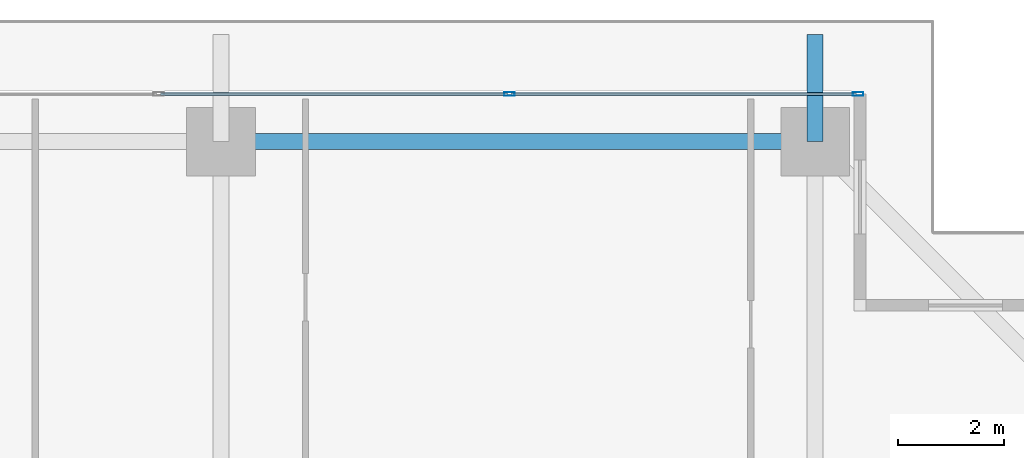
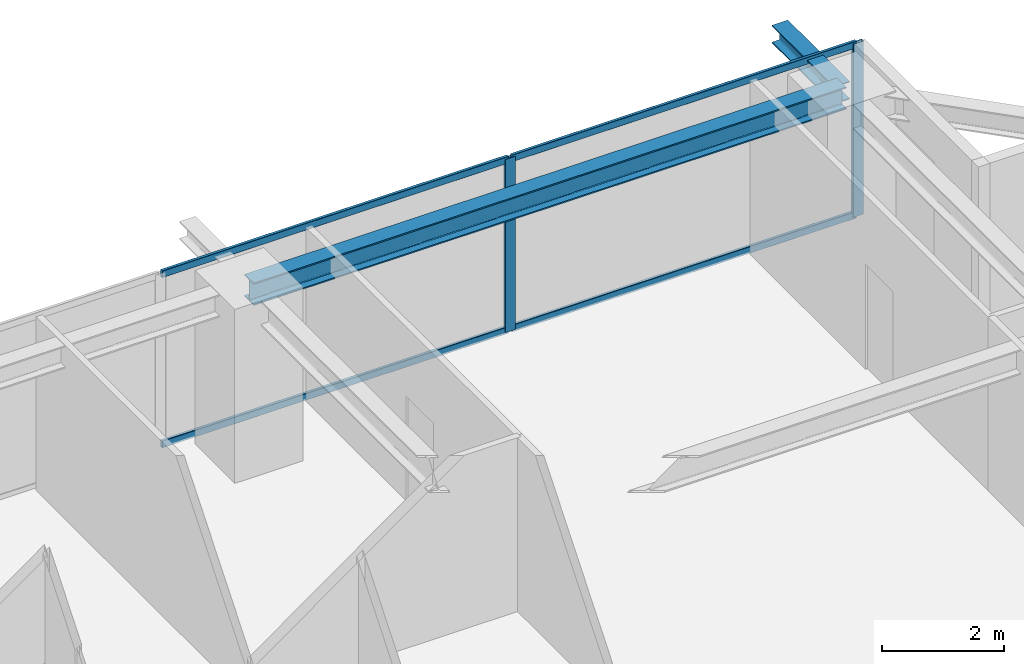
# One storey, part 22 of 35: 6 members, 2 beams, 1 element without a shape of its own.
"""IFC4 building model written with IfcOpenShell, lengths in metres."""

from ifc_helpers import new_model, si_unit, direction, frame, origin, origin_2d, place, context, subcontext, project, spatial, hollow_rectangle, i_section, extrude, source, transform, mapped, material, layer, layer_set, material_profile, profile_set, type_object, element, aggregate, save


model = new_model("IFC4")

# Units and contexts
model_context = context("Model", 3, precision=1e-05, world=origin(), true_north=direction((0.0, 1.0)))
body_context = subcontext(model_context, "Body", "Model", "MODEL_VIEW")
ifc_project = project(units=[si_unit("LENGTHUNIT", "METRE"), si_unit("AREAUNIT", "SQUARE_METRE"), si_unit("VOLUMEUNIT", "CUBIC_METRE"), si_unit("PLANEANGLEUNIT", "RADIAN"), si_unit("MASSUNIT", "GRAM", prefix="KILO")], contexts=[model_context])

# Site, building, storey
site_placement = place(None, origin())
site = spatial("IfcSite", under=ifc_project, at=site_placement, CompositionType="ELEMENT")
building_placement = place(site_placement, origin())
building = spatial("IfcBuilding", under=site, at=building_placement, Name="Serunith Strait Residences", CompositionType="ELEMENT")
storey_placement = place(building_placement, frame((0.0, 0.0, 172.64990234375)))
storey = spatial("IfcBuildingStorey", under=building, at=storey_placement, Name="L43", CompositionType="ELEMENT", Elevation=172.64990234375)

# Beams
ifc_material_1 = material(Name="Steel S355J2", Category="steel")
ifc_material_profile_1 = material_profile(ifc_material_1, i_section(OverallWidth=0.300048828125, OverallDepth=0.449951171875, WebThickness=0.013916015625, FlangeThickness=0.02587890625, FilletRadius=0.027099609375, at=origin_2d()), Name="HEB 450")
ifc_profile_set_1 = profile_set([ifc_material_profile_1], Name="Steel S355J2")
beam_type_1 = type_object("IfcBeamType", Name="BM-HEB450", PredefinedType="BEAM", material=ifc_profile_set_1)
shared_shape_1 = source(origin(), body_context, "Body", "SweptSolid", [
    extrude(i_section(OverallWidth=0.300048828125, OverallDepth=0.449951171875, WebThickness=0.013916015625, FlangeThickness=0.02587890625, FilletRadius=0.027099609375, at=origin_2d()), origin(), (0.0, 0.0, 1.0), 11.25),
])
beam_1_placement = place(storey_placement, frame((48.14990234375, 48.10009765625, 3.26220703125), z_axis=(-1.0, 0.0, 0.0), x_axis=(0.0, -1.0, 0.0)))
element("IfcBeam", 1, at=beam_1_placement, inside=storey, type_object=beam_type_1, Name="L43 Perimeter Ring Beam 09", PredefinedType="BEAM", context=body_context, shape_type="MappedRepresentation", body=[
    mapped(shared_shape_1, transform((0.0, 0.0, 0.0), scale=1.0)),
])
ifc_material_profile_2 = material_profile(ifc_material_1, i_section(OverallWidth=0.300048828125, OverallDepth=0.360107421875, WebThickness=0.012451171875, FlangeThickness=0.0224609375, FilletRadius=0.027099609375, at=origin_2d()), Name="HEB 360")
ifc_profile_set_2 = profile_set([ifc_material_profile_2], Name="Steel S355J2")
beam_type_2 = type_object("IfcBeamType", Name="BM-HEB360", PredefinedType="BEAM", material=ifc_profile_set_2)
shared_shape_2 = source(origin(), body_context, "Body", "SweptSolid", [
    extrude(i_section(OverallWidth=0.300048828125, OverallDepth=0.360107421875, WebThickness=0.012451171875, FlangeThickness=0.0224609375, FilletRadius=0.027099609375, at=origin_2d()), origin(), (0.0, 0.0, 1.0), 2.02978515625),
])
beam_2_placement = place(storey_placement, frame((48.14990234375, 48.10009765625, 3.277099609375), z_axis=(0.0, 1.0, 0.0), x_axis=(-1.0, 0.0, 0.0)))
element("IfcBeam", 2, at=beam_2_placement, inside=storey, type_object=beam_type_2, Name="L44 Cantilevered Balcony Rib TC-N4", PredefinedType="BEAM", context=body_context, shape_type="MappedRepresentation", body=[
    mapped(shared_shape_2, transform((0.0, 0.0, 0.0), scale=1.0)),
])

# Curtain wall, members
ifc_material_2 = material(Name="Pale-Champagne Anodised Aluminium", Category="aluminium")
ifc_layer = layer(ifc_material_2, 0.199951171875, Name="Pale-Champagne Anodised Aluminium")
ifc_layer_set = layer_set([ifc_layer], Name="Pale-Champagne Anodised Aluminium")
curtain_wall_type = type_object("IfcCurtainWallType", Name="CW-SYS2", PredefinedType="NOTDEFINED", material=ifc_layer_set)
curtain_wall_placement = place(storey_placement, origin())
curtain_wall = element("IfcCurtainWall", 3, at=curtain_wall_placement, inside=storey, type_object=curtain_wall_type, Name="L43 N Unitised Fritted Curtain Wall", PredefinedType="NOTDEFINED")
ifc_material_profile_3 = material_profile(ifc_material_2, hollow_rectangle(XDim=0.070068359375, YDim=0.199951171875, WallThickness=0.00390625, InnerFilletRadius=0.006103515625, OuterFilletRadius=0.010009765625, at=origin_2d()), Name="ALU 200x70x4")
ifc_profile_set_3 = profile_set([ifc_material_profile_3], Name="Pale-Champagne Anodised Aluminium")
member_type_1 = type_object("IfcMemberType", Name="CW-SYS2-MULL", PredefinedType="MULLION", material=ifc_profile_set_3)
shared_shape_3 = source(origin(), body_context, "Body", "SweptSolid", [
    extrude(hollow_rectangle(XDim=0.070068359375, YDim=0.199951171875, WallThickness=0.00390625, InnerFilletRadius=0.006103515625, OuterFilletRadius=0.010009765625, at=origin_2d()), origin(), (0.0, 0.0, 1.0), 3.47509765625),
])
member_1_placement = place(storey_placement, frame((48.965087890625, 49.0, 0.0), z_axis=(0.0, 0.0, 1.0), x_axis=(0.0, -1.0, 0.0)))
member_1 = element("IfcMember", 4, at=member_1_placement, type_object=member_type_1, Name="CW-2 mullion 1", PredefinedType="MULLION", context=body_context, shape_type="MappedRepresentation", body=[
    mapped(shared_shape_3, transform((0.0, 0.0, 0.0), scale=1.0)),
])
member_2_placement = place(storey_placement, frame((42.360107421875, 49.0, 0.0), z_axis=(0.0, 0.0, 1.0), x_axis=(0.0, -1.0, 0.0)))
member_2 = element("IfcMember", 5, at=member_2_placement, type_object=member_type_1, Name="CW-2 mullion 2", PredefinedType="MULLION", context=body_context, shape_type="MappedRepresentation", body=[
    mapped(shared_shape_3, transform((0.0, 0.0, 0.0), scale=1.0)),
])
ifc_material_profile_4 = material_profile(ifc_material_2, hollow_rectangle(XDim=0.06005859375, YDim=0.139892578125, WallThickness=0.00341796875, InnerFilletRadius=0.00537109375, OuterFilletRadius=0.0087890625, at=origin_2d()), Name="ALU 140x60x3.5")
ifc_profile_set_4 = profile_set([ifc_material_profile_4], Name="Pale-Champagne Anodised Aluminium")
member_type_2 = type_object("IfcMemberType", Name="CW-SYS2-TRAN", PredefinedType="USERDEFINED", material=ifc_profile_set_4)
shared_shape_4 = source(origin(), body_context, "Body", "SweptSolid", [
    extrude(hollow_rectangle(XDim=0.06005859375, YDim=0.139892578125, WallThickness=0.00341796875, InnerFilletRadius=0.00537109375, OuterFilletRadius=0.0087890625, at=origin_2d()), origin(), (0.0, 0.0, 1.0), 6.534912109375),
])
member_3_placement = place(storey_placement, frame((48.929931640625, 49.0, 0.030029296875), z_axis=(-1.0, 0.0, 0.0), x_axis=(0.0, -1.0, 0.0)))
member_3 = element("IfcMember", 6, at=member_3_placement, type_object=member_type_2, Name="CW-2 transom 1.1", ObjectType="TRANSOM", PredefinedType="USERDEFINED", context=body_context, shape_type="MappedRepresentation", body=[
    mapped(shared_shape_4, transform((0.0, 0.0, 0.0), scale=1.0)),
])
member_4_placement = place(storey_placement, frame((48.929931640625, 49.0, 3.445068359375), z_axis=(-1.0, 0.0, 0.0), x_axis=(0.0, -1.0, 0.0)))
member_4 = element("IfcMember", 7, at=member_4_placement, type_object=member_type_2, Name="CW-2 transom 1.2", ObjectType="TRANSOM", PredefinedType="USERDEFINED", context=body_context, shape_type="MappedRepresentation", body=[
    mapped(shared_shape_4, transform((0.0, 0.0, 0.0), scale=1.0)),
])
shared_shape_5 = source(origin(), body_context, "Body", "SweptSolid", [
    extrude(hollow_rectangle(XDim=0.06005859375, YDim=0.139892578125, WallThickness=0.00341796875, InnerFilletRadius=0.00537109375, OuterFilletRadius=0.0087890625, at=origin_2d()), origin(), (0.0, 0.0, 1.0), 6.570068359375),
])
member_5_placement = place(storey_placement, frame((42.324951171875, 49.0, 0.030029296875), z_axis=(-1.0, 0.0, 0.0), x_axis=(0.0, -1.0, 0.0)))
member_5 = element("IfcMember", 8, at=member_5_placement, type_object=member_type_2, Name="CW-2 transom 2.1", ObjectType="TRANSOM", PredefinedType="USERDEFINED", context=body_context, shape_type="MappedRepresentation", body=[
    mapped(shared_shape_5, transform((0.0, 0.0, 0.0), scale=1.0)),
])
member_6_placement = place(storey_placement, frame((42.324951171875, 49.0, 3.445068359375), z_axis=(-1.0, 0.0, 0.0), x_axis=(0.0, -1.0, 0.0)))
member_6 = element("IfcMember", 9, at=member_6_placement, type_object=member_type_2, Name="CW-2 transom 2.2", ObjectType="TRANSOM", PredefinedType="USERDEFINED", context=body_context, shape_type="MappedRepresentation", body=[
    mapped(shared_shape_5, transform((0.0, 0.0, 0.0), scale=1.0)),
])
aggregate(curtain_wall, [member_1, member_2, member_3, member_4, member_5, member_6])

save(model, "model.ifc")
